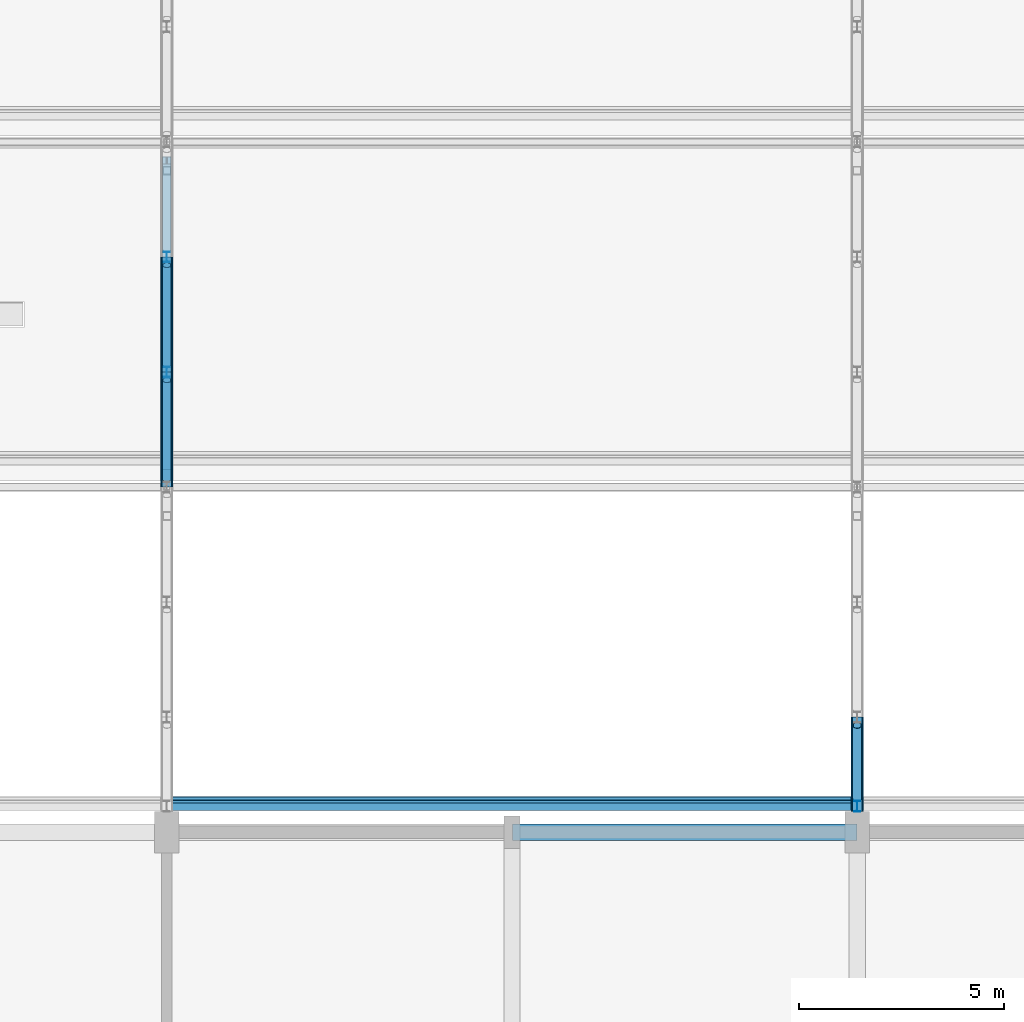
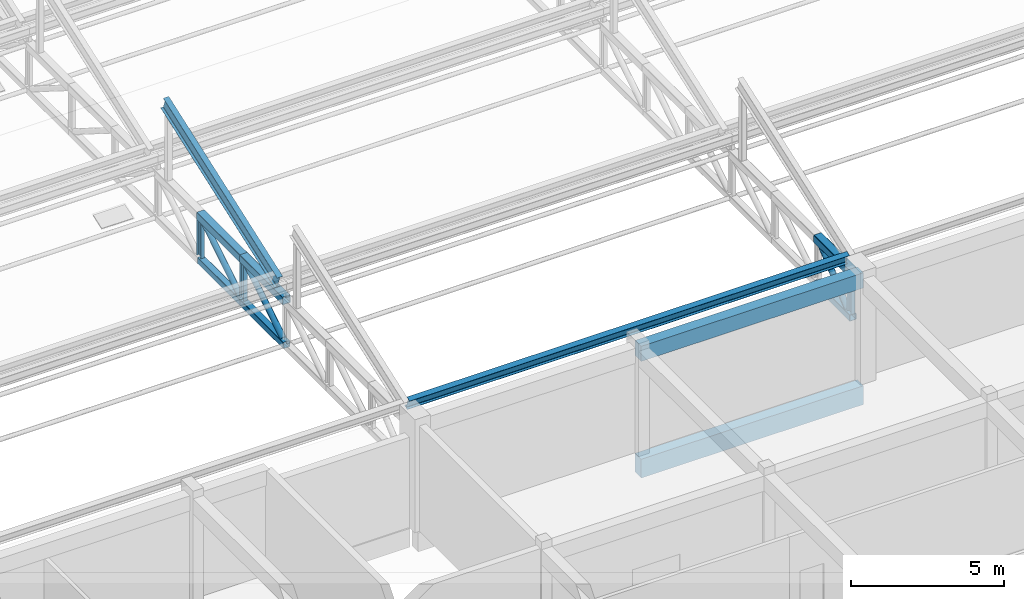
# One storey, part 14 of 101: 14 members, 2 beams.
"""IFC4 building model written with IfcOpenShell, lengths in metres."""

from ifc_helpers import new_model, si_unit, direction, frame, origin, origin_2d, place, context, subcontext, project, spatial, rectangle, hollow_rectangle, hollow_circle, i_section, extrude, material, material_profile, profile_set, type_object, element, save


model = new_model("IFC4")

# Units and contexts
model_context = context("Model", 3, precision=1e-05, world=origin(), true_north=direction((0.0, 1.0)))
body_context = subcontext(model_context, "Body", "Model", "MODEL_VIEW")
ifc_project = project(units=[si_unit("LENGTHUNIT", "METRE"), si_unit("AREAUNIT", "SQUARE_METRE"), si_unit("VOLUMEUNIT", "CUBIC_METRE"), si_unit("PLANEANGLEUNIT", "RADIAN"), si_unit("MASSUNIT", "GRAM", prefix="KILO")], contexts=[model_context])

# Site, building, storey
site_placement = place(None, origin())
site = spatial("IfcSite", under=ifc_project, at=site_placement, CompositionType="ELEMENT")
building_placement = place(site_placement, origin())
building = spatial("IfcBuilding", under=site, at=building_placement, Name="Fescue Hill Polytechnic", CompositionType="ELEMENT")
storey_placement = place(building_placement, frame((0.0, 0.0, 9.0)))
storey = spatial("IfcBuildingStorey", under=building, at=storey_placement, Name="L02", CompositionType="ELEMENT", Elevation=9.0)

# Beams
ifc_material_1 = material(Name="Concrete 35 MPa", Category="concrete")
ifc_material_profile_1 = material_profile(ifc_material_1, rectangle(XDim=0.39990234375, YDim=0.60009765625, at=origin_2d()), Name="RC 400x600")
ifc_profile_set_1 = profile_set([ifc_material_profile_1], Name="Concrete 35 MPa")
beam_type_1 = type_object("IfcBeamType", Name="Beam RC 400x600", PredefinedType="BEAM", material=ifc_profile_set_1)
beam_1_placement = place(storey_placement, frame((42.010009765625, 16.800048828125, 3.89990234375), z_axis=(1.0, 0.0, 0.0), x_axis=(0.0, 1.0, 0.0)))
element("IfcBeam", 1, at=beam_1_placement, inside=storey, type_object=beam_type_1, Name="BR-L02-0027", PredefinedType="BEAM", context=body_context, shape_type="SweptSolid", body=[
    extrude(rectangle(XDim=0.39990234375, YDim=0.60009765625, at=origin_2d()), origin(), (0.0, 0.0, 1.0), 8.3798828125),
])
ifc_material_profile_2 = material_profile(ifc_material_1, rectangle(XDim=0.39990234375, YDim=0.75, at=origin_2d()), Name="RC 400x750")
ifc_profile_set_2 = profile_set([ifc_material_profile_2], Name="Concrete 35 MPa")
beam_type_2 = type_object("IfcBeamType", Name="Beam RC 400x750", PredefinedType="BEAM", material=ifc_profile_set_2)
beam_2_placement = place(storey_placement, frame((42.010009765625, 16.800048828125, -0.675048828125), z_axis=(1.0, 0.0, 0.0), x_axis=(0.0, 1.0, 0.0)))
element("IfcBeam", 2, at=beam_2_placement, inside=storey, type_object=beam_type_2, Name="BM-L02-0069", PredefinedType="BEAM", context=body_context, shape_type="SweptSolid", body=[
    extrude(rectangle(XDim=0.39990234375, YDim=0.75, at=origin_2d()), origin(), (0.0, 0.0, 1.0), 8.3798828125),
])

# Members
ifc_material_2 = material(Name="Steel 350W (350 MPa)", Category="steel")
ifc_material_profile_3 = material_profile(ifc_material_2, hollow_rectangle(XDim=0.25390625, YDim=0.25390625, WallThickness=0.0126953125, InnerFilletRadius=0.0126953125, OuterFilletRadius=0.025390625, at=origin_2d()), Name="Hall truss bottom chord HSS 254x254x13")
ifc_profile_set_3 = profile_set([ifc_material_profile_3], Name="Steel 350W (350 MPa)")
member_type_1 = type_object("IfcMemberType", Name="Hall truss bottom chord HSS 254x254x13", PredefinedType="CHORD", material=ifc_profile_set_3)
for number, where, z_axis, x_axis, name in (
    (3, (33.60009765625, 25.199951171875, 2.0), (0.0, 1.0, 0.0), (-1.0, 0.0, 0.0), "Truss TR3 bottom chord 4"),
    (4, (33.60009765625, 28.0, 2.0), (0.0, 1.0, 0.0), (-1.0, 0.0, 0.0), "Truss TR3 bottom chord 5"),
):
    element("IfcMember", number, at=place(storey_placement, frame(where, z_axis=z_axis, x_axis=x_axis)), inside=storey, type_object=member_type_1, Name=name, PredefinedType="CHORD", context=body_context, shape_type="SweptSolid", body=[
        extrude(hollow_rectangle(XDim=0.25390625, YDim=0.25390625, WallThickness=0.0126953125, InnerFilletRadius=0.0126953125, OuterFilletRadius=0.025390625, at=origin_2d()), origin(), (0.0, 0.0, 1.0), 2.800048828125),
    ])
member_1_placement = place(storey_placement, frame((50.39990234375, 17.300048828125, 2.0), z_axis=(0.0, 1.0, 0.0), x_axis=(-1.0, 0.0, 0.0)))
element("IfcMember", 5, at=member_1_placement, inside=storey, type_object=member_type_1, Name="Truss TR4 bottom chord 1", PredefinedType="CHORD", context=body_context, shape_type="SweptSolid", body=[
    extrude(hollow_rectangle(XDim=0.25390625, YDim=0.25390625, WallThickness=0.0126953125, InnerFilletRadius=0.0126953125, OuterFilletRadius=0.025390625, at=origin_2d()), origin(), (0.0, 0.0, 1.0), 2.300048828125),
])
ifc_material_profile_4 = material_profile(ifc_material_2, hollow_circle(Radius=0.109619140625, WallThickness=0.009521484375, at=origin_2d()), Name="Hall truss diagonal CHS 219x9.5")
ifc_profile_set_4 = profile_set([ifc_material_profile_4], Name="Steel 350W (350 MPa)")
member_type_2 = type_object("IfcMemberType", Name="Hall truss diagonal CHS 219x9.5", PredefinedType="BRACE", material=ifc_profile_set_4)
for number, where, z_axis, x_axis, name in (
    (6, (33.60009765625, 25.39990234375, 2.126953125), (0.0, 0.847353658992, 0.531028979051), (-1.0, 0.0, 0.0), "Truss TR3 diagonal 4"),
    (7, (33.60009765625, 28.199951171875, 2.126953125), (0.0, 0.847353658992, 0.531028979051), (-1.0, 0.0, 0.0), "Truss TR3 diagonal 5"),
):
    element("IfcMember", number, at=place(storey_placement, frame(where, z_axis=z_axis, x_axis=x_axis)), inside=storey, type_object=member_type_2, Name=name, PredefinedType="BRACE", context=body_context, shape_type="SweptSolid", body=[
        extrude(hollow_circle(Radius=0.109619140625, WallThickness=0.009521484375, at=origin_2d()), origin(), (0.0, 0.0, 1.0), 2.83251953125),
    ])
member_2_placement = place(storey_placement, frame((50.39990234375, 17.633056640625, 2.126953125), z_axis=(0.0, 0.761443253909, 0.648231572107), x_axis=(-1.0, 0.0, 0.0)))
element("IfcMember", 8, at=member_2_placement, inside=storey, type_object=member_type_2, Name="Truss TR4 diagonal 1", PredefinedType="BRACE", context=body_context, shape_type="SweptSolid", body=[
    extrude(hollow_circle(Radius=0.109619140625, WallThickness=0.009521484375, at=origin_2d()), origin(), (0.0, 0.0, 1.0), 2.3203125),
])
ifc_material_profile_5 = material_profile(ifc_material_2, i_section(OverallWidth=0.14794921875, OverallDepth=0.26611328125, WebThickness=0.007568359375, FlangeThickness=0.012939453125, FilletRadius=0.013916015625, at=origin_2d()), Name="W250x45")
ifc_profile_set_5 = profile_set([ifc_material_profile_5], Name="Steel 350W (350 MPa)")
member_type_3 = type_object("IfcMemberType", Name="Hall truss post W250x45", PredefinedType="POST", material=ifc_profile_set_5)
for number, where, z_axis, x_axis, name in (
    (9, (33.60009765625, 28.0, 2.126953125), (0.0, 0.0, 1.0), (1.0, 0.0, 0.0), "Truss TR3 post 5"),
    (10, (33.60009765625, 30.800048828125, 2.126953125), (0.0, 0.0, 1.0), (1.0, 0.0, 0.0), "Truss TR3 post 6"),
    (11, (50.39990234375, 17.43310546875, 2.126953125), (0.0, 0.0, 1.0), (1.0, 0.0, 0.0), "Truss TR4 post 1"),
):
    element("IfcMember", number, at=place(storey_placement, frame(where, z_axis=z_axis, x_axis=x_axis)), inside=storey, type_object=member_type_3, Name=name, PredefinedType="POST", context=body_context, shape_type="SweptSolid", body=[
        extrude(i_section(OverallWidth=0.14794921875, OverallDepth=0.26611328125, WebThickness=0.007568359375, FlangeThickness=0.012939453125, FilletRadius=0.013916015625, at=origin_2d()), origin(), (0.0, 0.0, 1.0), 1.504150390625),
    ])
ifc_material_profile_6 = material_profile(ifc_material_2, hollow_rectangle(XDim=0.3046875, YDim=0.3046875, WallThickness=0.0126953125, InnerFilletRadius=0.0126953125, OuterFilletRadius=0.025390625, at=origin_2d()), Name="Hall truss top chord HSS 305x305x13")
ifc_profile_set_6 = profile_set([ifc_material_profile_6], Name="Steel 350W (350 MPa)")
member_type_4 = type_object("IfcMemberType", Name="Hall truss top chord HSS 305x305x13", PredefinedType="CHORD", material=ifc_profile_set_6)
for number, where, z_axis, x_axis, name in (
    (12, (33.60009765625, 25.199951171875, 3.783447265625), (0.0, 1.0, 0.0), (-1.0, 0.0, 0.0), "Truss TR3 top chord 4"),
    (13, (33.60009765625, 28.0, 3.783447265625), (0.0, 1.0, 0.0), (-1.0, 0.0, 0.0), "Truss TR3 top chord 5"),
):
    element("IfcMember", number, at=place(storey_placement, frame(where, z_axis=z_axis, x_axis=x_axis)), inside=storey, type_object=member_type_4, Name=name, PredefinedType="CHORD", context=body_context, shape_type="SweptSolid", body=[
        extrude(hollow_rectangle(XDim=0.3046875, YDim=0.3046875, WallThickness=0.0126953125, InnerFilletRadius=0.0126953125, OuterFilletRadius=0.025390625, at=origin_2d()), origin(), (0.0, 0.0, 1.0), 2.800048828125),
    ])
member_3_placement = place(storey_placement, frame((50.39990234375, 17.300048828125, 3.783447265625), z_axis=(0.0, 1.0, 0.0), x_axis=(-1.0, 0.0, 0.0)))
element("IfcMember", 14, at=member_3_placement, inside=storey, type_object=member_type_4, Name="Truss TR4 top chord 1", PredefinedType="CHORD", context=body_context, shape_type="SweptSolid", body=[
    extrude(hollow_rectangle(XDim=0.3046875, YDim=0.3046875, WallThickness=0.0126953125, InnerFilletRadius=0.0126953125, OuterFilletRadius=0.025390625, at=origin_2d()), origin(), (0.0, 0.0, 1.0), 2.300048828125),
])
ifc_material_profile_7 = material_profile(ifc_material_2, i_section(OverallWidth=0.18994140625, OverallDepth=0.45703125, WebThickness=0.009033203125, FlangeThickness=0.014404296875, FilletRadius=0.0166015625, at=origin_2d()), Name="W460x74")
ifc_profile_set_7 = profile_set([ifc_material_profile_7], Name="Steel 350W (350 MPa)")
member_type_5 = type_object("IfcMemberType", Name="Tooth purlin W460x74", PredefinedType="PURLIN", material=ifc_profile_set_7)
member_4_placement = place(storey_placement, frame((33.70458984375, 17.5, 4.294921875), z_axis=(1.0, 0.0, 0.0), x_axis=(0.0, 0.941741911595, 0.336336396997)))
element("IfcMember", 15, at=member_4_placement, inside=storey, type_object=member_type_5, Name="Tooth 1 purlin 1 bay 3", PredefinedType="PURLIN", context=body_context, shape_type="SweptSolid", body=[
    extrude(i_section(OverallWidth=0.18994140625, OverallDepth=0.45703125, WebThickness=0.009033203125, FlangeThickness=0.014404296875, FilletRadius=0.0166015625, at=origin_2d()), origin(), (0.0, 0.0, 1.0), 16.5908203125),
])
ifc_material_profile_8 = material_profile(ifc_material_2, i_section(OverallWidth=0.208984375, OverallDepth=0.532958984375, WebThickness=0.01025390625, FlangeThickness=0.015625, FilletRadius=0.016357421875, at=origin_2d()), Name="W530x92")
ifc_profile_set_8 = profile_set([ifc_material_profile_8], Name="Steel 350W (350 MPa)")
member_type_6 = type_object("IfcMemberType", Name="Tooth rafter W530x92", PredefinedType="RAFTER", material=ifc_profile_set_8)
member_5_placement = place(storey_placement, frame((33.60009765625, 25.71044921875, 4.18701171875), z_axis=(0.0, 0.941740513165, 0.336340312575), x_axis=(-1.0, 0.0, 0.0)))
element("IfcMember", 16, at=member_5_placement, inside=storey, type_object=member_type_6, Name="Tooth 2 rafter on TR3", PredefinedType="RAFTER", context=body_context, shape_type="SweptSolid", body=[
    extrude(i_section(OverallWidth=0.208984375, OverallDepth=0.532958984375, WebThickness=0.01025390625, FlangeThickness=0.015625, FilletRadius=0.016357421875, at=origin_2d()), origin(), (0.0, 0.0, 1.0), 7.899658203125),
])

save(model, "model.ifc")
